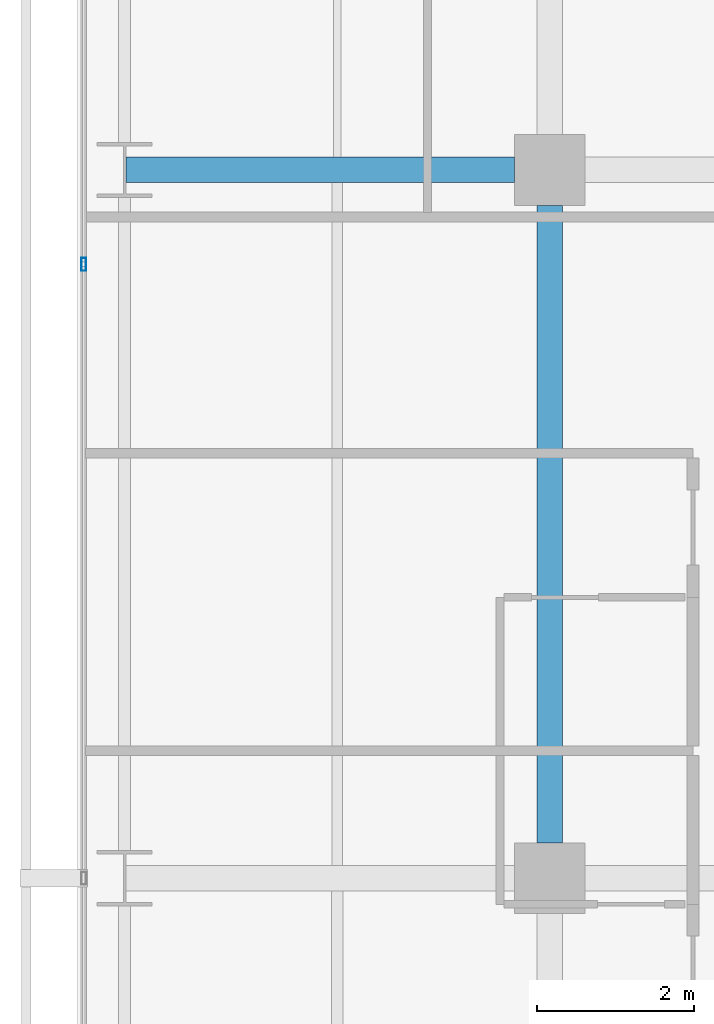
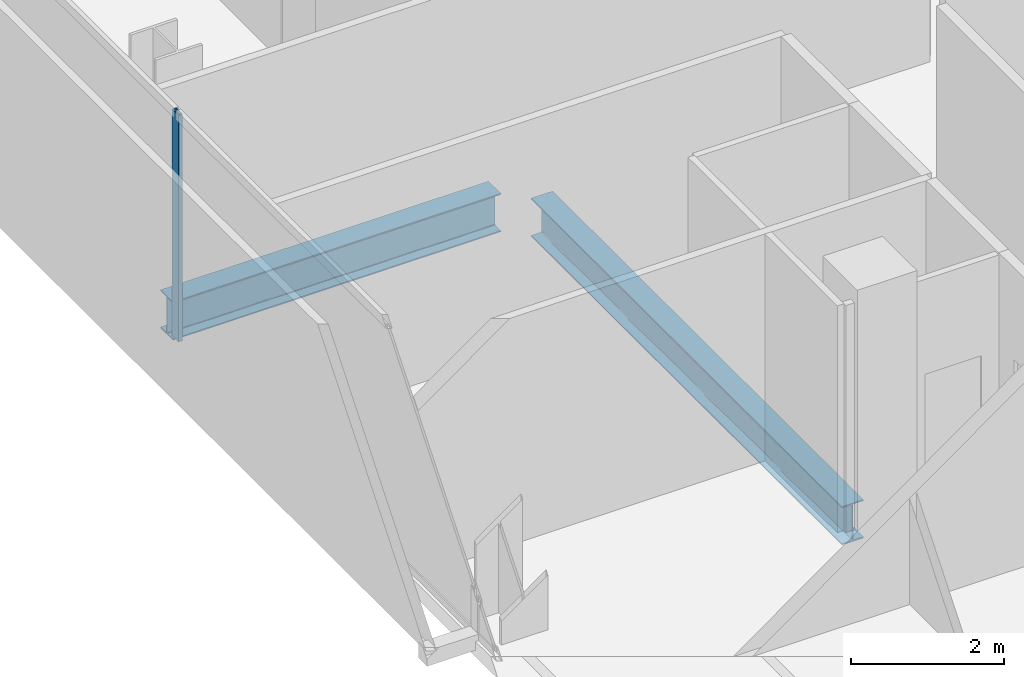
# One storey, part 21 of 40: 2 beams, 1 member, 1 element without a shape of its own.
"""IFC4 building model written with IfcOpenShell, lengths in metres."""

from ifc_helpers import new_model, si_unit, direction, frame, origin, origin_2d, place, context, subcontext, project, spatial, hollow_rectangle, i_section, extrude, material, layer, layer_set, material_profile, profile_set, type_object, element, aggregate, save


model = new_model("IFC4")

# Units and contexts
model_context = context("Model", 3, precision=1e-05, world=origin(), true_north=direction((0.0, 1.0)))
body_context = subcontext(model_context, "Body", "Model", "MODEL_VIEW")
ifc_project = project(units=[si_unit("LENGTHUNIT", "METRE"), si_unit("AREAUNIT", "SQUARE_METRE"), si_unit("VOLUMEUNIT", "CUBIC_METRE"), si_unit("PLANEANGLEUNIT", "RADIAN"), si_unit("MASSUNIT", "GRAM", prefix="KILO")], contexts=[model_context])

# Site, building, storey
site_placement = place(None, origin())
site = spatial("IfcSite", under=ifc_project, at=site_placement, CompositionType="ELEMENT")
building_placement = place(site_placement, origin())
building = spatial("IfcBuilding", under=site, at=building_placement, Name="Maruvema Waterfront Hotel and Observation Tower", CompositionType="ELEMENT")
storey_placement = place(building_placement, frame((0.0, 0.0, 103.949951171875)))
storey = spatial("IfcBuildingStorey", under=building, at=storey_placement, Name="L25", CompositionType="ELEMENT", Elevation=103.949951171875)

# Curtain wall, member
ifc_material_1 = material(Name="Anodised bronze aluminium and solar-control low-E IGU", Category="aluminium")
ifc_layer = layer(ifc_material_1, 0.159912109375, Name="Zone 1 Bronze Inner Thermal Curtain Wall System CW-02")
ifc_layer_set = layer_set([ifc_layer], Name="Anodised bronze aluminium and solar-control low-E IGU")
curtain_wall_type = type_object("IfcCurtainWallType", Name="Zone 1 Bronze Inner Thermal Curtain Wall System CW-02", PredefinedType="USERDEFINED", material=ifc_layer_set)
curtain_wall_placement = place(storey_placement, origin())
curtain_wall = element("IfcCurtainWall", 1, at=curtain_wall_placement, inside=storey, type_object=curtain_wall_type, Name="L25 Curtain Wall CW-L25-W", ObjectType="UNITISED CURTAIN WALL", PredefinedType="USERDEFINED")
ifc_material_2 = material(Name="Anodised architectural bronze aluminium", Category="aluminium")
ifc_material_profile_1 = material_profile(ifc_material_2, hollow_rectangle(XDim=0.06494140625, YDim=0.1650390625, WallThickness=0.00390625, at=origin_2d()), Name="ALU-M65x165")
ifc_profile_set_1 = profile_set([ifc_material_profile_1], Name="Anodised architectural bronze aluminium")
member_type = type_object("IfcMemberType", Name="Curtain Wall Primary Mullion ALU-M65x165", PredefinedType="MULLION", material=ifc_profile_set_1)
member_placement = place(storey_placement, frame((10.8798828125, 34.800048828125, 0.0), z_axis=(0.0, 0.0, 1.0), x_axis=(1.0, 0.0, 0.0)))
member = element("IfcMember", 2, at=member_placement, type_object=member_type, Name="CW-02 mullion 3", PredefinedType="MULLION", context=body_context, shape_type="SweptSolid", body=[
    extrude(hollow_rectangle(XDim=0.06494140625, YDim=0.1650390625, WallThickness=0.00390625, at=origin_2d()), origin(), (0.0, 0.0, 1.0), 3.610107421875),
])
aggregate(curtain_wall, [member])

# Beams
ifc_material_3 = material(Name="Steel ASTM A572 Grade 50", Category="steel")
ifc_material_profile_2 = material_profile(ifc_material_3, i_section(OverallWidth=0.323974609375, OverallDepth=0.611083984375, WebThickness=0.0126953125, FlangeThickness=0.01904296875, FilletRadius=0.01806640625, at=origin_2d()), Name="W610x155.0")
ifc_profile_set_2 = profile_set([ifc_material_profile_2], Name="Steel ASTM A572 Grade 50")
beam_type = type_object("IfcBeamType", Name="Primary Floor Girder W610x155.0", PredefinedType="BEAM", material=ifc_profile_set_2)
beam_1_placement = place(storey_placement, frame((11.4140625, 36.0, -0.54541015625), z_axis=(1.0, 0.0, 0.0), x_axis=(0.0, 1.0, 0.0)))
element("IfcBeam", 3, at=beam_1_placement, inside=storey, type_object=beam_type, Name="L25 Floor Girder EW-25", PredefinedType="BEAM", context=body_context, shape_type="SweptSolid", body=[
    extrude(i_section(OverallWidth=0.323974609375, OverallDepth=0.611083984375, WebThickness=0.0126953125, FlangeThickness=0.01904296875, FilletRadius=0.01806640625, at=origin_2d()), origin(), (0.0, 0.0, 1.0), 4.93603515625),
])
beam_2_placement = place(storey_placement, frame((16.800048828125, 27.449951171875, -0.54541015625), z_axis=(0.0, 1.0, 0.0), x_axis=(-1.0, 0.0, 0.0)))
element("IfcBeam", 4, at=beam_2_placement, inside=storey, type_object=beam_type, Name="L25 Floor Girder NS-08", PredefinedType="BEAM", context=body_context, shape_type="SweptSolid", body=[
    extrude(i_section(OverallWidth=0.323974609375, OverallDepth=0.611083984375, WebThickness=0.0126953125, FlangeThickness=0.01904296875, FilletRadius=0.01806640625, at=origin_2d()), origin(), (0.0, 0.0, 1.0), 8.10009765625),
])

save(model, "model.ifc")
